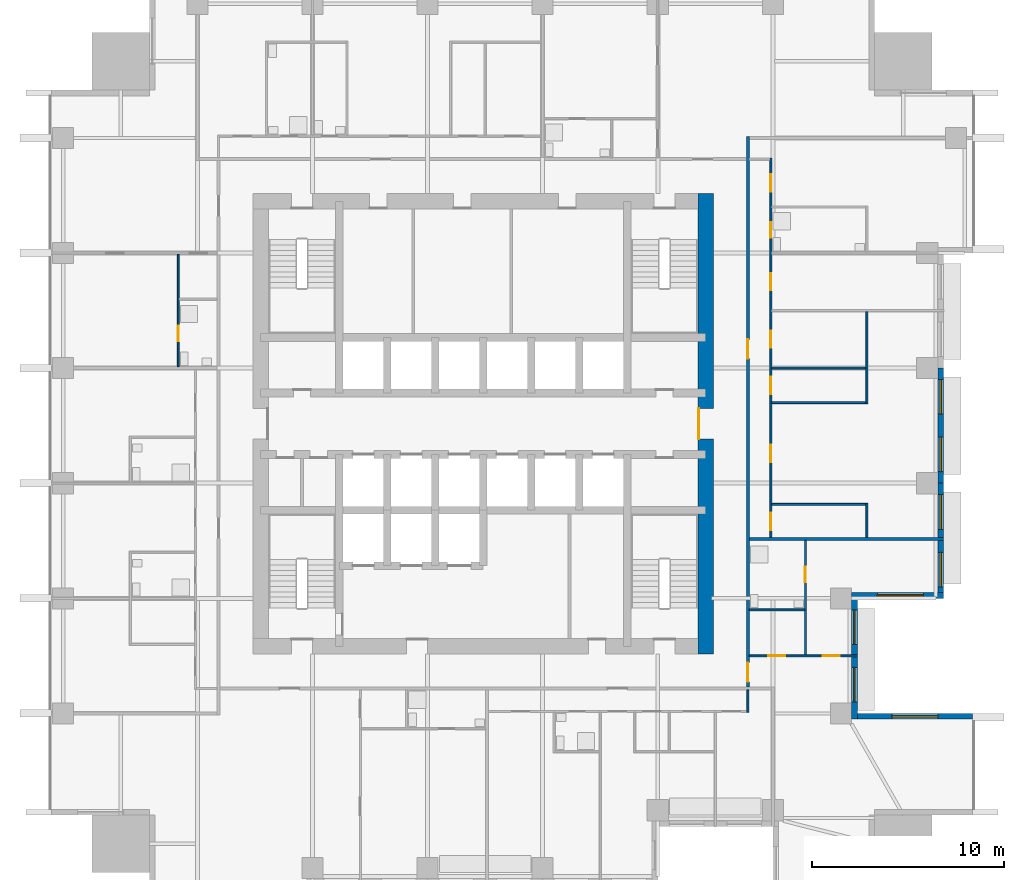
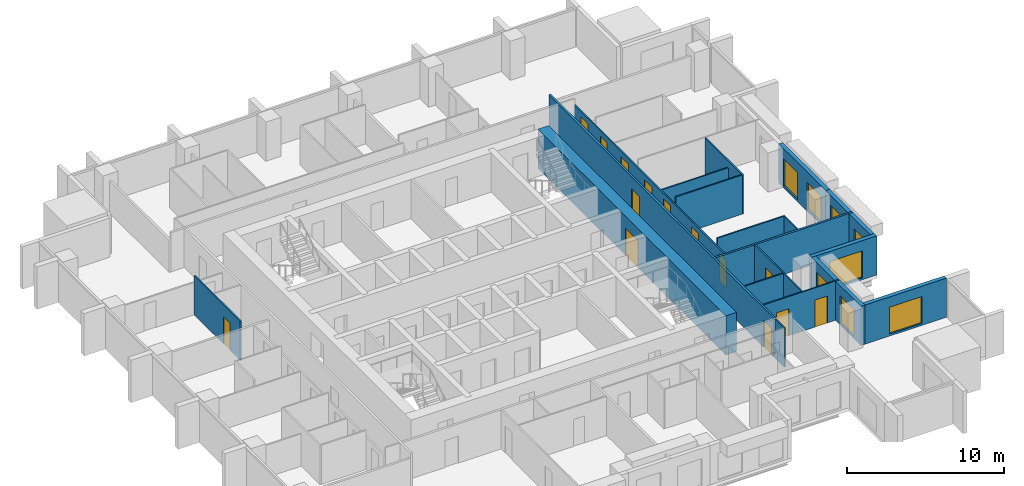
# One storey, part 6 of 10: 19 walls, 14 doors, 8 windows, 22 openings.
"""IFC4 building model written with IfcOpenShell, lengths in metres."""

from ifc_helpers import new_model, si_unit, direction, frame, frame_2d, origin, place, context, subcontext, project, spatial, rectangle, extrude, material, layer, layer_set, type_object, element, fill, save


model = new_model("IFC4")

# Units and contexts
model_context = context("Model", 3, precision=1e-05, world=origin(), true_north=direction((0.0, 1.0)))
body_context = subcontext(model_context, "Body", "Model", "MODEL_VIEW")
ifc_project = project(units=[si_unit("LENGTHUNIT", "METRE"), si_unit("AREAUNIT", "SQUARE_METRE"), si_unit("VOLUMEUNIT", "CUBIC_METRE"), si_unit("PLANEANGLEUNIT", "RADIAN"), si_unit("MASSUNIT", "GRAM", prefix="KILO")], contexts=[model_context])

# Site, building, storey
site_placement = place(None, origin())
site = spatial("IfcSite", under=ifc_project, at=site_placement, CompositionType="ELEMENT")
building_placement = place(site_placement, origin())
building = spatial("IfcBuilding", under=site, at=building_placement, Name="Amberfall Residences", CompositionType="ELEMENT")
storey_placement = place(building_placement, frame((0.0, 0.0, 85.300048828125)))
storey = spatial("IfcBuildingStorey", under=building, at=storey_placement, Name="L22", CompositionType="ELEMENT", Elevation=85.300048828125)

# Wall, opening, window
ifc_material_1 = material(Name="Pale stone cladding on insulated backing", Category="masonry")
ifc_layer_1 = layer(ifc_material_1, 0.300048828125)
ifc_layer_set_1 = layer_set([ifc_layer_1], Name="Bronze clad wall 300")
wall_type_1 = type_object("IfcWallType", Name="Bronze clad wall 300", PredefinedType="SOLIDWALL", material=ifc_layer_set_1)
wall_1_placement = place(storey_placement, frame((100.0, 30.25, 0.0), z_axis=(0.0, 0.0, 1.0), x_axis=(-1.0, 0.0, 0.0)))
wall_1 = element("IfcWall", 1, at=wall_1_placement, inside=storey, type_object=wall_type_1, Name="External wall L22 E", PredefinedType="SOLIDWALL", context=body_context, shape_type="SweptSolid", body=[
    extrude(rectangle(XDim=6.0, YDim=0.300048828125, at=frame_2d((3.0, 0.0))), origin(), (0.0, 0.0, 1.0), 3.050048828125),
])
opening_1_placement = place(wall_1_placement, frame((1.800048828125, 0.0, 0.14990234375)))
opening_1 = element("IfcOpeningElement", 2, at=opening_1_placement, cuts=wall_1, Name="Opening WN5", PredefinedType="OPENING", context=body_context, shape_type="SweptSolid", body=[
    extrude(rectangle(XDim=2.39990234375, YDim=2.10009765625, at=frame_2d((1.199951171875, 1.050048828125))), frame((0.0, 0.159912109375, 0.0), z_axis=(0.0, -1.0, 0.0), x_axis=(1.0, 0.0, 0.0)), (0.0, 0.0, 1.0), 0.320068359375),
])
ifc_material_2 = material(Name="Bronze aluminium framed glazing", Category="aluminium")
window_type_1 = type_object("IfcWindowType", Name="Glazed opening 2400 x 2100 bronze", PartitioningType="DOUBLE_PANEL_VERTICAL", PredefinedType="WINDOW", material=ifc_material_2)
window_1_placement = place(opening_1_placement, origin())
window_1 = element("IfcWindow", 3, at=window_1_placement, inside=storey, type_object=window_type_1, Name="Window L22 E", OverallHeight=2.10009765625, OverallWidth=2.39990234375, PartitioningType="DOUBLE_PANEL_VERTICAL", PredefinedType="WINDOW", context=body_context, shape_type="SweptSolid", body=[
    extrude(rectangle(XDim=2.39990234375, YDim=2.10009765625, at=frame_2d((1.199951171875, 1.050048828125))), frame((0.0, 0.030029296875, 0.0), z_axis=(0.0, -1.0, 0.0), x_axis=(1.0, 0.0, 0.0)), (0.0, 0.0, 1.0), 0.06005859375),
])
fill(opening_1, window_1)

wall_2_placement = place(storey_placement, frame((93.699951171875, 36.550048828125, 0.0), z_axis=(0.0, 0.0, 1.0), x_axis=(1.0, 0.0, 0.0)))
wall_2 = element("IfcWall", 4, at=wall_2_placement, inside=storey, type_object=wall_type_1, Name="External wall L22 E", PredefinedType="SOLIDWALL", context=body_context, shape_type="SweptSolid", body=[
    extrude(rectangle(XDim=4.800048828125, YDim=0.300048828125, at=frame_2d((2.39990234375, 0.0))), origin(), (0.0, 0.0, 1.0), 3.050048828125),
])
opening_2_placement = place(wall_2_placement, frame((1.35009765625, 0.0, 0.14990234375)))
opening_2 = element("IfcOpeningElement", 5, at=opening_2_placement, cuts=wall_2, Name="Opening WN5", PredefinedType="OPENING", context=body_context, shape_type="SweptSolid", body=[
    extrude(rectangle(XDim=2.39990234375, YDim=2.10009765625, at=frame_2d((1.199951171875, 1.050048828125))), frame((0.0, 0.159912109375, 0.0), z_axis=(0.0, -1.0, 0.0), x_axis=(1.0, 0.0, 0.0)), (0.0, 0.0, 1.0), 0.320068359375),
])
window_2_placement = place(opening_2_placement, origin())
window_2 = element("IfcWindow", 6, at=window_2_placement, inside=storey, type_object=window_type_1, Name="Window L22 E", OverallHeight=2.10009765625, OverallWidth=2.39990234375, PartitioningType="DOUBLE_PANEL_VERTICAL", PredefinedType="WINDOW", context=body_context, shape_type="SweptSolid", body=[
    extrude(rectangle(XDim=2.39990234375, YDim=2.10009765625, at=frame_2d((1.199951171875, 1.050048828125))), frame((0.0, 0.030029296875, 0.0), z_axis=(0.0, -1.0, 0.0), x_axis=(1.0, 0.0, 0.0)), (0.0, 0.0, 1.0), 0.06005859375),
])
fill(opening_2, window_2)

# Wall, openings, windows
wall_3_placement = place(storey_placement, frame((93.85009765625, 30.10009765625, 0.0), z_axis=(0.0, 0.0, 1.0), x_axis=(0.0, 1.0, 0.0)))
wall_3 = element("IfcWall", 7, at=wall_3_placement, inside=storey, type_object=wall_type_1, Name="Stone wall L22 E", PredefinedType="SOLIDWALL", context=body_context, shape_type="SweptSolid", body=[
    extrude(rectangle(XDim=6.2998046875, YDim=0.300048828125, at=frame_2d((3.14990234375, 0.0))), origin(), (0.0, 0.0, 1.0), 3.050048828125),
])
opening_3_placement = place(wall_3_placement, frame((0.89990234375, 0.0, 0.14990234375)))
opening_3 = element("IfcOpeningElement", 8, at=opening_3_placement, cuts=wall_3, Name="Opening WN6", PredefinedType="OPENING", context=body_context, shape_type="SweptSolid", body=[
    extrude(rectangle(XDim=1.800048828125, YDim=2.10009765625, at=frame_2d((0.89990234375, 1.050048828125))), frame((0.0, 0.159912109375, 0.0), z_axis=(0.0, -1.0, 0.0), x_axis=(1.0, 0.0, 0.0)), (0.0, 0.0, 1.0), 0.320068359375),
])
opening_4_placement = place(wall_3_placement, frame((3.89990234375, 0.0, 0.14990234375)))
opening_4 = element("IfcOpeningElement", 9, at=opening_4_placement, cuts=wall_3, Name="Opening WN6", PredefinedType="OPENING", context=body_context, shape_type="SweptSolid", body=[
    extrude(rectangle(XDim=1.800048828125, YDim=2.10009765625, at=frame_2d((0.89990234375, 1.050048828125))), frame((0.0, 0.159912109375, 0.0), z_axis=(0.0, -1.0, 0.0), x_axis=(1.0, 0.0, 0.0)), (0.0, 0.0, 1.0), 0.320068359375),
])
window_type_2 = type_object("IfcWindowType", Name="Glazed opening 1800 x 2100 bronze", PartitioningType="DOUBLE_PANEL_VERTICAL", PredefinedType="WINDOW", material=ifc_material_2)
window_3_placement = place(opening_3_placement, origin())
window_3 = element("IfcWindow", 10, at=window_3_placement, inside=storey, type_object=window_type_2, Name="Window L22 E", OverallHeight=2.10009765625, OverallWidth=1.800048828125, PartitioningType="DOUBLE_PANEL_VERTICAL", PredefinedType="WINDOW", context=body_context, shape_type="SweptSolid", body=[
    extrude(rectangle(XDim=1.800048828125, YDim=2.10009765625, at=frame_2d((0.89990234375, 1.050048828125))), frame((0.0, 0.030029296875, 0.0), z_axis=(0.0, -1.0, 0.0), x_axis=(1.0, 0.0, 0.0)), (0.0, 0.0, 1.0), 0.06005859375),
])
fill(opening_3, window_3)
window_4_placement = place(opening_4_placement, origin())
window_4 = element("IfcWindow", 11, at=window_4_placement, inside=storey, type_object=window_type_2, Name="Window L22 E", OverallHeight=2.10009765625, OverallWidth=1.800048828125, PartitioningType="DOUBLE_PANEL_VERTICAL", PredefinedType="WINDOW", context=body_context, shape_type="SweptSolid", body=[
    extrude(rectangle(XDim=1.800048828125, YDim=2.10009765625, at=frame_2d((0.89990234375, 1.050048828125))), frame((0.0, 0.030029296875, 0.0), z_axis=(0.0, -1.0, 0.0), x_axis=(1.0, 0.0, 0.0)), (0.0, 0.0, 1.0), 0.06005859375),
])
fill(opening_4, window_4)

wall_4_placement = place(storey_placement, frame((98.35009765625, 36.699951171875, 0.0), z_axis=(0.0, 0.0, 1.0), x_axis=(0.0, 1.0, 0.0)))
wall_4 = element("IfcWall", 12, at=wall_4_placement, inside=storey, type_object=wall_type_1, Name="Stone wall L22 E", PredefinedType="SOLIDWALL", context=body_context, shape_type="SweptSolid", body=[
    extrude(rectangle(XDim=5.699951171875, YDim=0.300048828125, at=frame_2d((2.85009765625, 0.0))), origin(), (0.0, 0.0, 1.0), 3.050048828125),
])
opening_5_placement = place(wall_4_placement, frame((0.300048828125, 0.0, 0.14990234375)))
opening_5 = element("IfcOpeningElement", 13, at=opening_5_placement, cuts=wall_4, Name="Opening WN6", PredefinedType="OPENING", context=body_context, shape_type="SweptSolid", body=[
    extrude(rectangle(XDim=1.800048828125, YDim=2.10009765625, at=frame_2d((0.89990234375, 1.050048828125))), frame((0.0, 0.159912109375, 0.0), z_axis=(0.0, -1.0, 0.0), x_axis=(1.0, 0.0, 0.0)), (0.0, 0.0, 1.0), 0.320068359375),
])
opening_6_placement = place(wall_4_placement, frame((3.300048828125, 0.0, 0.14990234375)))
opening_6 = element("IfcOpeningElement", 14, at=opening_6_placement, cuts=wall_4, Name="Opening WN6", PredefinedType="OPENING", context=body_context, shape_type="SweptSolid", body=[
    extrude(rectangle(XDim=1.800048828125, YDim=2.10009765625, at=frame_2d((0.89990234375, 1.050048828125))), frame((0.0, 0.159912109375, 0.0), z_axis=(0.0, -1.0, 0.0), x_axis=(1.0, 0.0, 0.0)), (0.0, 0.0, 1.0), 0.320068359375),
])
window_5_placement = place(opening_5_placement, origin())
window_5 = element("IfcWindow", 15, at=window_5_placement, inside=storey, type_object=window_type_2, Name="Window L22 E", OverallHeight=2.10009765625, OverallWidth=1.800048828125, PartitioningType="DOUBLE_PANEL_VERTICAL", PredefinedType="WINDOW", context=body_context, shape_type="SweptSolid", body=[
    extrude(rectangle(XDim=1.800048828125, YDim=2.10009765625, at=frame_2d((0.89990234375, 1.050048828125))), frame((0.0, 0.030029296875, 0.0), z_axis=(0.0, -1.0, 0.0), x_axis=(1.0, 0.0, 0.0)), (0.0, 0.0, 1.0), 0.06005859375),
])
fill(opening_5, window_5)
window_6_placement = place(opening_6_placement, origin())
window_6 = element("IfcWindow", 16, at=window_6_placement, inside=storey, type_object=window_type_2, Name="Window L22 E", OverallHeight=2.10009765625, OverallWidth=1.800048828125, PartitioningType="DOUBLE_PANEL_VERTICAL", PredefinedType="WINDOW", context=body_context, shape_type="SweptSolid", body=[
    extrude(rectangle(XDim=1.800048828125, YDim=2.10009765625, at=frame_2d((0.89990234375, 1.050048828125))), frame((0.0, 0.030029296875, 0.0), z_axis=(0.0, -1.0, 0.0), x_axis=(1.0, 0.0, 0.0)), (0.0, 0.0, 1.0), 0.06005859375),
])
fill(opening_6, window_6)

wall_5_placement = place(storey_placement, frame((98.35009765625, 42.39990234375, 0.0), z_axis=(0.0, 0.0, 1.0), x_axis=(0.0, 1.0, 0.0)))
wall_5 = element("IfcWall", 17, at=wall_5_placement, inside=storey, type_object=wall_type_1, Name="Stone wall L22 E", PredefinedType="SOLIDWALL", context=body_context, shape_type="SweptSolid", body=[
    extrude(rectangle(XDim=6.0, YDim=0.300048828125, at=frame_2d((3.0, 0.0))), origin(), (0.0, 0.0, 1.0), 3.050048828125),
])
opening_7_placement = place(wall_5_placement, frame((0.60009765625, 0.0, 0.14990234375)))
opening_7 = element("IfcOpeningElement", 18, at=opening_7_placement, cuts=wall_5, Name="Opening WN6", PredefinedType="OPENING", context=body_context, shape_type="SweptSolid", body=[
    extrude(rectangle(XDim=1.800048828125, YDim=2.10009765625, at=frame_2d((0.89990234375, 1.050048828125))), frame((0.0, 0.159912109375, 0.0), z_axis=(0.0, -1.0, 0.0), x_axis=(1.0, 0.0, 0.0)), (0.0, 0.0, 1.0), 0.320068359375),
])
opening_8_placement = place(wall_5_placement, frame((3.60009765625, 0.0, 0.14990234375)))
opening_8 = element("IfcOpeningElement", 19, at=opening_8_placement, cuts=wall_5, Name="Opening WN6", PredefinedType="OPENING", context=body_context, shape_type="SweptSolid", body=[
    extrude(rectangle(XDim=1.800048828125, YDim=2.10009765625, at=frame_2d((0.89990234375, 1.050048828125))), frame((0.0, 0.159912109375, 0.0), z_axis=(0.0, -1.0, 0.0), x_axis=(1.0, 0.0, 0.0)), (0.0, 0.0, 1.0), 0.320068359375),
])
window_7_placement = place(opening_7_placement, origin())
window_7 = element("IfcWindow", 20, at=window_7_placement, inside=storey, type_object=window_type_2, Name="Window L22 E", OverallHeight=2.10009765625, OverallWidth=1.800048828125, PartitioningType="DOUBLE_PANEL_VERTICAL", PredefinedType="WINDOW", context=body_context, shape_type="SweptSolid", body=[
    extrude(rectangle(XDim=1.800048828125, YDim=2.10009765625, at=frame_2d((0.89990234375, 1.050048828125))), frame((0.0, 0.030029296875, 0.0), z_axis=(0.0, -1.0, 0.0), x_axis=(1.0, 0.0, 0.0)), (0.0, 0.0, 1.0), 0.06005859375),
])
fill(opening_7, window_7)
window_8_placement = place(opening_8_placement, origin())
window_8 = element("IfcWindow", 21, at=window_8_placement, inside=storey, type_object=window_type_2, Name="Window L22 E", OverallHeight=2.10009765625, OverallWidth=1.800048828125, PartitioningType="DOUBLE_PANEL_VERTICAL", PredefinedType="WINDOW", context=body_context, shape_type="SweptSolid", body=[
    extrude(rectangle(XDim=1.800048828125, YDim=2.10009765625, at=frame_2d((0.89990234375, 1.050048828125))), frame((0.0, 0.030029296875, 0.0), z_axis=(0.0, -1.0, 0.0), x_axis=(1.0, 0.0, 0.0)), (0.0, 0.0, 1.0), 0.06005859375),
])
fill(opening_8, window_8)

# Wall, opening, door
ifc_material_3 = material(Name="Concrete C70", Category="concrete")
ifc_layer_2 = layer(ifc_material_3, 0.800048828125)
ifc_layer_set_2 = layer_set([ifc_layer_2], Name="Core wall 800 C70")
wall_type_2 = type_object("IfcWallType", Name="Core wall 800 C70", PredefinedType="SHEAR", material=ifc_layer_set_2)
wall_6_placement = place(storey_placement, frame((86.10009765625, 33.5, 0.0), z_axis=(0.0, 0.0, 1.0), x_axis=(0.0, 1.0, 0.0)))
wall_6 = element("IfcWall", 22, at=wall_6_placement, inside=storey, type_object=wall_type_2, Name="Core wall RW3 L22 OE", PredefinedType="SHEAR", context=body_context, shape_type="SweptSolid", body=[
    extrude(rectangle(XDim=24.0, YDim=0.800048828125, at=frame_2d((12.0, 0.0))), origin(), (0.0, 0.0, 1.0), 3.050048828125),
])
opening_9_placement = place(wall_6_placement, frame((11.199951171875, 0.0, 0.0)))
opening_9 = element("IfcOpeningElement", 23, at=opening_9_placement, cuts=wall_6, Name="Opening LB1", PredefinedType="OPENING", context=body_context, shape_type="SweptSolid", body=[
    extrude(rectangle(XDim=1.60009765625, YDim=2.10009765625, at=frame_2d((0.800048828125, 1.050048828125))), frame((0.0, 0.409912109375, 0.0), z_axis=(0.0, -1.0, 0.0), x_axis=(1.0, 0.0, 0.0)), (0.0, 0.0, 1.0), 0.820068359375),
])
ifc_material_4 = material(Name="Steel fire door set", Category="steel")
door_type_1 = type_object("IfcDoorType", Name="Lift lobby double door 1600 x 2100", OperationType="DOUBLE_DOOR_SINGLE_SWING", PredefinedType="DOOR", material=ifc_material_4)
door_1_placement = place(opening_9_placement, origin())
door_1 = element("IfcDoor", 24, at=door_1_placement, inside=storey, type_object=door_type_1, Name="LB1 L22", OperationType="DOUBLE_DOOR_SINGLE_SWING", OverallHeight=2.10009765625, OverallWidth=1.60009765625, PredefinedType="DOOR", context=body_context, shape_type="SweptSolid", body=[
    extrude(rectangle(XDim=1.60009765625, YDim=2.10009765625, at=frame_2d((0.800048828125, 1.050048828125))), frame((0.0, 0.3876953125, 0.0), z_axis=(0.0, -1.0, 0.0), x_axis=(1.0, 0.0, 0.0)), (0.0, 0.0, 1.0), 0.050048828125),
])
fill(opening_9, door_1)

ifc_material_5 = material(Name="Gypsum board on metal stud")
ifc_layer_3 = layer(ifc_material_5, 0.10009765625)
ifc_layer_set_3 = layer_set([ifc_layer_3], Name="Flat partition 100")
wall_type_3 = type_object("IfcWallType", Name="Flat partition 100", PredefinedType="PARTITIONING", material=ifc_layer_set_3)
wall_7_placement = place(storey_placement, frame((58.60009765625, 54.35009765625, 0.0), z_axis=(0.0, 0.0, 1.0), x_axis=(0.0, -1.0, 0.0)))
wall_7 = element("IfcWall", 25, at=wall_7_placement, inside=storey, type_object=wall_type_3, Name="Partition 003", PredefinedType="PARTITIONING", context=body_context, shape_type="SweptSolid", body=[
    extrude(rectangle(XDim=5.875, YDim=0.10009765625, at=frame_2d((2.9375, 0.0))), origin(), (0.0, 0.0, 1.0), 3.050048828125),
])
opening_10_placement = place(wall_7_placement, frame((3.75, 0.0, 0.0)))
opening_10 = element("IfcOpeningElement", 26, at=opening_10_placement, cuts=wall_7, Name="Opening D42", PredefinedType="OPENING", context=body_context, shape_type="SweptSolid", body=[
    extrude(rectangle(XDim=0.800048828125, YDim=2.10009765625, at=frame_2d((0.39990234375, 1.050048828125))), frame((0.0, 0.06005859375, 0.0), z_axis=(0.0, -1.0, 0.0), x_axis=(1.0, 0.0, 0.0)), (0.0, 0.0, 1.0), 0.1201171875),
])
ifc_material_6 = material(Name="Timber", Category="wood")
door_type_2 = type_object("IfcDoorType", Name="Bathroom door 800 x 2100", OperationType="SINGLE_SWING_LEFT", PredefinedType="DOOR", material=ifc_material_6)
door_2_placement = place(opening_10_placement, origin())
door_2 = element("IfcDoor", 27, at=door_2_placement, inside=storey, type_object=door_type_2, Name="Door 2208 bath1", OperationType="SINGLE_SWING_LEFT", OverallHeight=2.10009765625, OverallWidth=0.800048828125, PredefinedType="DOOR", context=body_context, shape_type="SweptSolid", body=[
    extrude(rectangle(XDim=0.800048828125, YDim=2.10009765625, at=frame_2d((0.39990234375, 1.050048828125))), frame((0.0, 0.02490234375, 0.0), z_axis=(0.0, -1.0, 0.0), x_axis=(1.0, 0.0, 0.0)), (0.0, 0.0, 1.0), 0.050048828125),
])
fill(opening_10, door_2)

# Wall
wall_8_placement = place(storey_placement, frame((88.300048828125, 30.449951171875, 0.0), z_axis=(0.0, 0.0, 1.0), x_axis=(0.0, 1.0, 0.0)))
element("IfcWall", 28, at=wall_8_placement, inside=storey, type_object=wall_type_3, Name="Partition 020", PredefinedType="PARTITIONING", context=body_context, shape_type="SweptSolid", body=[
    extrude(rectangle(XDim=1.175048828125, YDim=0.10009765625, at=frame_2d((0.58740234375, 0.0))), origin(), (0.0, 0.0, 1.0), 3.050048828125),
])

# Wall, openings, doors
wall_9_placement = place(storey_placement, frame((89.5, 59.35009765625, 0.0), z_axis=(0.0, 0.0, 1.0), x_axis=(0.0, -1.0, 0.0)))
wall_9 = element("IfcWall", 29, at=wall_9_placement, inside=storey, type_object=wall_type_3, Name="Partition 021", PredefinedType="PARTITIONING", context=body_context, shape_type="SweptSolid", body=[
    extrude(rectangle(XDim=19.775146484375, YDim=0.10009765625, at=frame_2d((9.8876953125, 0.0))), origin(), (0.0, 0.0, 1.0), 2.510009765625),
])
opening_11_placement = place(wall_9_placement, frame((14.949951171875, 0.0, 0.0)))
opening_11 = element("IfcOpeningElement", 30, at=opening_11_placement, cuts=wall_9, Name="Opening D41", PredefinedType="OPENING", context=body_context, shape_type="SweptSolid", body=[
    extrude(rectangle(XDim=0.89990234375, YDim=2.10009765625, at=frame_2d((0.449951171875, 1.050048828125))), frame((0.0, 0.06005859375, 0.0), z_axis=(0.0, -1.0, 0.0), x_axis=(1.0, 0.0, 0.0)), (0.0, 0.0, 1.0), 0.1201171875),
])
opening_12_placement = place(wall_9_placement, frame((9.0, 0.0, 0.0)))
opening_12 = element("IfcOpeningElement", 31, at=opening_12_placement, cuts=wall_9, Name="Opening D41", PredefinedType="OPENING", context=body_context, shape_type="SweptSolid", body=[
    extrude(rectangle(XDim=0.89990234375, YDim=2.10009765625, at=frame_2d((0.449951171875, 1.050048828125))), frame((0.0, 0.06005859375, 0.0), z_axis=(0.0, -1.0, 0.0), x_axis=(1.0, 0.0, 0.0)), (0.0, 0.0, 1.0), 0.1201171875),
])
opening_13_placement = place(wall_9_placement, frame((11.39990234375, 0.0, 0.0)))
opening_13 = element("IfcOpeningElement", 32, at=opening_13_placement, cuts=wall_9, Name="Opening D41", PredefinedType="OPENING", context=body_context, shape_type="SweptSolid", body=[
    extrude(rectangle(XDim=0.89990234375, YDim=2.10009765625, at=frame_2d((0.449951171875, 1.050048828125))), frame((0.0, 0.06005859375, 0.0), z_axis=(0.0, -1.0, 0.0), x_axis=(1.0, 0.0, 0.0)), (0.0, 0.0, 1.0), 0.1201171875),
])
opening_14_placement = place(wall_9_placement, frame((18.5, 0.0, 0.0)))
opening_14 = element("IfcOpeningElement", 33, at=opening_14_placement, cuts=wall_9, Name="Opening D41", PredefinedType="OPENING", context=body_context, shape_type="SweptSolid", body=[
    extrude(rectangle(XDim=0.89990234375, YDim=2.10009765625, at=frame_2d((0.449951171875, 1.050048828125))), frame((0.0, 0.06005859375, 0.0), z_axis=(0.0, -1.0, 0.0), x_axis=(1.0, 0.0, 0.0)), (0.0, 0.0, 1.0), 0.1201171875),
])
opening_15_placement = place(wall_9_placement, frame((6.0, 0.0, 0.0)))
opening_15 = element("IfcOpeningElement", 34, at=opening_15_placement, cuts=wall_9, Name="Opening D41", PredefinedType="OPENING", context=body_context, shape_type="SweptSolid", body=[
    extrude(rectangle(XDim=0.89990234375, YDim=2.10009765625, at=frame_2d((0.449951171875, 1.050048828125))), frame((0.0, 0.06005859375, 0.0), z_axis=(0.0, -1.0, 0.0), x_axis=(1.0, 0.0, 0.0)), (0.0, 0.0, 1.0), 0.1201171875),
])
opening_16_placement = place(wall_9_placement, frame((0.85009765625, 0.0, 0.0)))
opening_16 = element("IfcOpeningElement", 35, at=opening_16_placement, cuts=wall_9, Name="Opening D41", PredefinedType="OPENING", context=body_context, shape_type="SweptSolid", body=[
    extrude(rectangle(XDim=0.89990234375, YDim=2.10009765625, at=frame_2d((0.449951171875, 1.050048828125))), frame((0.0, 0.06005859375, 0.0), z_axis=(0.0, -1.0, 0.0), x_axis=(1.0, 0.0, 0.0)), (0.0, 0.0, 1.0), 0.1201171875),
])
opening_17_placement = place(wall_9_placement, frame((3.35009765625, 0.0, 0.0)))
opening_17 = element("IfcOpeningElement", 36, at=opening_17_placement, cuts=wall_9, Name="Opening D42", PredefinedType="OPENING", context=body_context, shape_type="SweptSolid", body=[
    extrude(rectangle(XDim=0.800048828125, YDim=2.10009765625, at=frame_2d((0.39990234375, 1.050048828125))), frame((0.0, 0.06005859375, 0.0), z_axis=(0.0, -1.0, 0.0), x_axis=(1.0, 0.0, 0.0)), (0.0, 0.0, 1.0), 0.1201171875),
])
door_3_placement = place(opening_17_placement, origin())
door_3 = element("IfcDoor", 37, at=door_3_placement, inside=storey, type_object=door_type_2, Name="Door 2204 bath1", OperationType="SINGLE_SWING_LEFT", OverallHeight=2.10009765625, OverallWidth=0.800048828125, PredefinedType="DOOR", context=body_context, shape_type="SweptSolid", body=[
    extrude(rectangle(XDim=0.800048828125, YDim=2.10009765625, at=frame_2d((0.39990234375, 1.050048828125))), frame((0.0, 0.02490234375, 0.0), z_axis=(0.0, -1.0, 0.0), x_axis=(1.0, 0.0, 0.0)), (0.0, 0.0, 1.0), 0.050048828125),
])
fill(opening_17, door_3)
door_type_3 = type_object("IfcDoorType", Name="Internal door 900 x 2100", OperationType="SINGLE_SWING_LEFT", PredefinedType="DOOR", material=ifc_material_6)
door_4_placement = place(opening_11_placement, origin())
door_4 = element("IfcDoor", 38, at=door_4_placement, inside=storey, type_object=door_type_3, Name="Door 2204 living", OperationType="SINGLE_SWING_LEFT", OverallHeight=2.10009765625, OverallWidth=0.89990234375, PredefinedType="DOOR", context=body_context, shape_type="SweptSolid", body=[
    extrude(rectangle(XDim=0.89990234375, YDim=2.10009765625, at=frame_2d((0.449951171875, 1.050048828125))), frame((0.0, 0.02490234375, 0.0), z_axis=(0.0, -1.0, 0.0), x_axis=(1.0, 0.0, 0.0)), (0.0, 0.0, 1.0), 0.050048828125),
])
fill(opening_11, door_4)
door_5_placement = place(opening_12_placement, origin())
door_5 = element("IfcDoor", 39, at=door_5_placement, inside=storey, type_object=door_type_3, Name="Door 2204 kitchen", OperationType="SINGLE_SWING_LEFT", OverallHeight=2.10009765625, OverallWidth=0.89990234375, PredefinedType="DOOR", context=body_context, shape_type="SweptSolid", body=[
    extrude(rectangle(XDim=0.89990234375, YDim=2.10009765625, at=frame_2d((0.449951171875, 1.050048828125))), frame((0.0, 0.02490234375, 0.0), z_axis=(0.0, -1.0, 0.0), x_axis=(1.0, 0.0, 0.0)), (0.0, 0.0, 1.0), 0.050048828125),
])
fill(opening_12, door_5)
door_6_placement = place(opening_13_placement, origin())
door_6 = element("IfcDoor", 40, at=door_6_placement, inside=storey, type_object=door_type_3, Name="Door 2204 utility", OperationType="SINGLE_SWING_LEFT", OverallHeight=2.10009765625, OverallWidth=0.89990234375, PredefinedType="DOOR", context=body_context, shape_type="SweptSolid", body=[
    extrude(rectangle(XDim=0.89990234375, YDim=2.10009765625, at=frame_2d((0.449951171875, 1.050048828125))), frame((0.0, 0.02490234375, 0.0), z_axis=(0.0, -1.0, 0.0), x_axis=(1.0, 0.0, 0.0)), (0.0, 0.0, 1.0), 0.050048828125),
])
fill(opening_13, door_6)
door_7_placement = place(opening_14_placement, origin())
door_7 = element("IfcDoor", 41, at=door_7_placement, inside=storey, type_object=door_type_3, Name="Door 2204 store", OperationType="SINGLE_SWING_LEFT", OverallHeight=2.10009765625, OverallWidth=0.89990234375, PredefinedType="DOOR", context=body_context, shape_type="SweptSolid", body=[
    extrude(rectangle(XDim=0.89990234375, YDim=2.10009765625, at=frame_2d((0.449951171875, 1.050048828125))), frame((0.0, 0.02490234375, 0.0), z_axis=(0.0, -1.0, 0.0), x_axis=(1.0, 0.0, 0.0)), (0.0, 0.0, 1.0), 0.050048828125),
])
fill(opening_14, door_7)
door_8_placement = place(opening_15_placement, origin())
door_8 = element("IfcDoor", 42, at=door_8_placement, inside=storey, type_object=door_type_3, Name="Door 2204 bedroom1", OperationType="SINGLE_SWING_LEFT", OverallHeight=2.10009765625, OverallWidth=0.89990234375, PredefinedType="DOOR", context=body_context, shape_type="SweptSolid", body=[
    extrude(rectangle(XDim=0.89990234375, YDim=2.10009765625, at=frame_2d((0.449951171875, 1.050048828125))), frame((0.0, 0.02490234375, 0.0), z_axis=(0.0, -1.0, 0.0), x_axis=(1.0, 0.0, 0.0)), (0.0, 0.0, 1.0), 0.050048828125),
])
fill(opening_15, door_8)
door_9_placement = place(opening_16_placement, origin())
door_9 = element("IfcDoor", 43, at=door_9_placement, inside=storey, type_object=door_type_3, Name="Door 2204 bedroom2", OperationType="SINGLE_SWING_LEFT", OverallHeight=2.10009765625, OverallWidth=0.89990234375, PredefinedType="DOOR", context=body_context, shape_type="SweptSolid", body=[
    extrude(rectangle(XDim=0.89990234375, YDim=2.10009765625, at=frame_2d((0.449951171875, 1.050048828125))), frame((0.0, 0.02490234375, 0.0), z_axis=(0.0, -1.0, 0.0), x_axis=(1.0, 0.0, 0.0)), (0.0, 0.0, 1.0), 0.050048828125),
])
fill(opening_16, door_9)

# Wall, opening, door
wall_10_placement = place(storey_placement, frame((91.300048828125, 33.449951171875, 0.0), z_axis=(0.0, 0.0, 1.0), x_axis=(0.0, 1.0, 0.0)))
wall_10 = element("IfcWall", 44, at=wall_10_placement, inside=storey, type_object=wall_type_3, Name="Partition 022", PredefinedType="PARTITIONING", context=body_context, shape_type="SweptSolid", body=[
    extrude(rectangle(XDim=5.97509765625, YDim=0.10009765625, at=frame_2d((2.987548828125, 0.0))), origin(), (0.0, 0.0, 1.0), 3.050048828125),
])
opening_18_placement = place(wall_10_placement, frame((3.800048828125, 0.0, 0.0)))
opening_18 = element("IfcOpeningElement", 45, at=opening_18_placement, cuts=wall_10, Name="Opening D42", PredefinedType="OPENING", context=body_context, shape_type="SweptSolid", body=[
    extrude(rectangle(XDim=0.800048828125, YDim=2.10009765625, at=frame_2d((0.39990234375, 1.050048828125))), frame((0.0, 0.06005859375, 0.0), z_axis=(0.0, -1.0, 0.0), x_axis=(1.0, 0.0, 0.0)), (0.0, 0.0, 1.0), 0.1201171875),
])
door_10_placement = place(opening_18_placement, origin())
door_10 = element("IfcDoor", 46, at=door_10_placement, inside=storey, type_object=door_type_2, Name="Door 2203 bath1", OperationType="SINGLE_SWING_LEFT", OverallHeight=2.10009765625, OverallWidth=0.800048828125, PredefinedType="DOOR", context=body_context, shape_type="SweptSolid", body=[
    extrude(rectangle(XDim=0.800048828125, YDim=2.10009765625, at=frame_2d((0.39990234375, 1.050048828125))), frame((0.0, 0.02490234375, 0.0), z_axis=(0.0, -1.0, 0.0), x_axis=(1.0, 0.0, 0.0)), (0.0, 0.0, 1.0), 0.050048828125),
])
fill(opening_18, door_10)

# Walls
wall_11_placement = place(storey_placement, frame((94.5, 39.574951171875, 0.0), z_axis=(0.0, 0.0, 1.0), x_axis=(0.0, 1.0, 0.0)))
element("IfcWall", 47, at=wall_11_placement, inside=storey, type_object=wall_type_3, Name="Partition 023", PredefinedType="PARTITIONING", context=body_context, shape_type="SweptSolid", body=[
    extrude(rectangle(XDim=1.775146484375, YDim=0.10009765625, at=frame_2d((0.8876953125, 0.0))), origin(), (0.0, 0.0, 1.0), 3.050048828125),
])
wall_12_placement = place(storey_placement, frame((94.5, 46.550048828125, 0.0), z_axis=(0.0, 0.0, 1.0), x_axis=(0.0, 1.0, 0.0)))
element("IfcWall", 48, at=wall_12_placement, inside=storey, type_object=wall_type_3, Name="Partition 024", PredefinedType="PARTITIONING", context=body_context, shape_type="SweptSolid", body=[
    extrude(rectangle(XDim=4.800048828125, YDim=0.10009765625, at=frame_2d((2.39990234375, 0.0))), origin(), (0.0, 0.0, 1.0), 3.050048828125),
])
wall_13_placement = place(storey_placement, frame((89.550048828125, 48.39990234375, 0.0), z_axis=(0.0, 0.0, 1.0), x_axis=(1.0, 0.0, 0.0)))
element("IfcWall", 49, at=wall_13_placement, inside=storey, type_object=wall_type_3, Name="Partition 036", PredefinedType="PARTITIONING", context=body_context, shape_type="SweptSolid", body=[
    extrude(rectangle(XDim=4.89990234375, YDim=0.10009765625, at=frame_2d((2.449951171875, 0.0))), origin(), (0.0, 0.0, 1.0), 2.515869140625),
])
for number, where, z_axis, x_axis, name in (
    (50, (89.550048828125, 46.60009765625, 0.0), (0.0, 0.0, 1.0), (1.0, 0.0, 0.0), "Partition 037"),
    (51, (89.550048828125, 41.300048828125, 0.0), (0.0, 0.0, 1.0), (1.0, 0.0, 0.0), "Partition 040"),
):
    element("IfcWall", number, at=place(storey_placement, frame(where, z_axis=z_axis, x_axis=x_axis)), inside=storey, type_object=wall_type_3, Name=name, PredefinedType="PARTITIONING", context=body_context, shape_type="SweptSolid", body=[
        extrude(rectangle(XDim=4.89990234375, YDim=0.10009765625, at=frame_2d((2.449951171875, 0.0))), origin(), (0.0, 0.0, 1.0), 3.050048828125),
    ])
wall_14_placement = place(storey_placement, frame((88.375, 35.800048828125, 0.0), z_axis=(0.0, 0.0, 1.0), x_axis=(1.0, 0.0, 0.0)))
element("IfcWall", 52, at=wall_14_placement, inside=storey, type_object=wall_type_3, Name="Partition 043", PredefinedType="PARTITIONING", context=body_context, shape_type="SweptSolid", body=[
    extrude(rectangle(XDim=2.875, YDim=0.10009765625, at=frame_2d((1.4375, 0.0))), origin(), (0.0, 0.0, 1.0), 3.050048828125),
])

# Wall, openings, doors
wall_15_placement = place(storey_placement, frame((88.375, 33.39990234375, 0.0), z_axis=(0.0, 0.0, 1.0), x_axis=(1.0, 0.0, 0.0)))
wall_15 = element("IfcWall", 53, at=wall_15_placement, inside=storey, type_object=wall_type_3, Name="Partition 045", PredefinedType="PARTITIONING", context=body_context, shape_type="SweptSolid", body=[
    extrude(rectangle(XDim=5.625, YDim=0.10009765625, at=frame_2d((2.8125, 0.0))), origin(), (0.0, 0.0, 1.0), 3.050048828125),
])
opening_19_placement = place(wall_15_placement, frame((0.97509765625, 0.0, 0.0)))
opening_19 = element("IfcOpeningElement", 54, at=opening_19_placement, cuts=wall_15, Name="Opening D41", PredefinedType="OPENING", context=body_context, shape_type="SweptSolid", body=[
    extrude(rectangle(XDim=0.89990234375, YDim=2.10009765625, at=frame_2d((0.449951171875, 1.050048828125))), frame((0.0, 0.06005859375, 0.0), z_axis=(0.0, -1.0, 0.0), x_axis=(1.0, 0.0, 0.0)), (0.0, 0.0, 1.0), 0.1201171875),
])
opening_20_placement = place(wall_15_placement, frame((3.824951171875, 0.0, 0.0)))
opening_20 = element("IfcOpeningElement", 55, at=opening_20_placement, cuts=wall_15, Name="Opening D41", PredefinedType="OPENING", context=body_context, shape_type="SweptSolid", body=[
    extrude(rectangle(XDim=0.89990234375, YDim=2.10009765625, at=frame_2d((0.449951171875, 1.050048828125))), frame((0.0, 0.06005859375, 0.0), z_axis=(0.0, -1.0, 0.0), x_axis=(1.0, 0.0, 0.0)), (0.0, 0.0, 1.0), 0.1201171875),
])
door_11_placement = place(opening_19_placement, origin())
door_11 = element("IfcDoor", 56, at=door_11_placement, inside=storey, type_object=door_type_3, Name="Door 2203 kitchen", OperationType="SINGLE_SWING_LEFT", OverallHeight=2.10009765625, OverallWidth=0.89990234375, PredefinedType="DOOR", context=body_context, shape_type="SweptSolid", body=[
    extrude(rectangle(XDim=0.89990234375, YDim=2.10009765625, at=frame_2d((0.449951171875, 1.050048828125))), frame((0.0, 0.02490234375, 0.0), z_axis=(0.0, -1.0, 0.0), x_axis=(1.0, 0.0, 0.0)), (0.0, 0.0, 1.0), 0.050048828125),
])
fill(opening_19, door_11)
door_12_placement = place(opening_20_placement, origin())
door_12 = element("IfcDoor", 57, at=door_12_placement, inside=storey, type_object=door_type_3, Name="Door 2203 bedroom1", OperationType="SINGLE_SWING_LEFT", OverallHeight=2.10009765625, OverallWidth=0.89990234375, PredefinedType="DOOR", context=body_context, shape_type="SweptSolid", body=[
    extrude(rectangle(XDim=0.89990234375, YDim=2.10009765625, at=frame_2d((0.449951171875, 1.050048828125))), frame((0.0, 0.02490234375, 0.0), z_axis=(0.0, -1.0, 0.0), x_axis=(1.0, 0.0, 0.0)), (0.0, 0.0, 1.0), 0.050048828125),
])
fill(opening_20, door_12)

ifc_material_7 = material(Name="Blockwork, plastered", Category="masonry")
ifc_layer_4 = layer(ifc_material_7, 0.14990234375)
ifc_layer_set_4 = layer_set([ifc_layer_4], Name="Flat separating wall 150")
wall_type_4 = type_object("IfcWallType", Name="Flat separating wall 150", PredefinedType="PARTITIONING", material=ifc_layer_set_4)
wall_16_placement = place(storey_placement, frame((88.300048828125, 60.47509765625, 0.0), z_axis=(0.0, 0.0, 1.0), x_axis=(0.0, -1.0, 0.0)))
wall_16 = element("IfcWall", 58, at=wall_16_placement, inside=storey, type_object=wall_type_4, Name="Separating wall 055", PredefinedType="PARTITIONING", context=body_context, shape_type="SweptSolid", body=[
    extrude(rectangle(XDim=28.7001953125, YDim=0.14990234375, at=frame_2d((14.35009765625, 0.0))), origin(), (0.0, 0.0, 1.0), 3.050048828125),
])
opening_21_placement = place(wall_16_placement, frame((27.425048828125, 0.0, 0.0)))
opening_21 = element("IfcOpeningElement", 59, at=opening_21_placement, cuts=wall_16, Name="Opening D40", PredefinedType="OPENING", context=body_context, shape_type="SweptSolid", body=[
    extrude(rectangle(XDim=1.0, YDim=2.10009765625, at=frame_2d((0.5, 1.050048828125))), frame((0.0, 0.0849609375, 0.0), z_axis=(0.0, -1.0, 0.0), x_axis=(1.0, 0.0, 0.0)), (0.0, 0.0, 1.0), 0.169921875),
])
opening_22_placement = place(wall_16_placement, frame((10.574951171875, 0.0, 0.0)))
opening_22 = element("IfcOpeningElement", 60, at=opening_22_placement, cuts=wall_16, Name="Opening D40", PredefinedType="OPENING", context=body_context, shape_type="SweptSolid", body=[
    extrude(rectangle(XDim=1.0, YDim=2.10009765625, at=frame_2d((0.5, 1.050048828125))), frame((0.0, 0.0849609375, 0.0), z_axis=(0.0, -1.0, 0.0), x_axis=(1.0, 0.0, 0.0)), (0.0, 0.0, 1.0), 0.169921875),
])
ifc_material_8 = material(Name="Timber, fire-rated", Category="wood")
door_type_4 = type_object("IfcDoorType", Name="Flat entrance door FD60 1000 x 2100", OperationType="SINGLE_SWING_LEFT", PredefinedType="DOOR", material=ifc_material_8)
door_13_placement = place(opening_21_placement, origin())
door_13 = element("IfcDoor", 61, at=door_13_placement, inside=storey, type_object=door_type_4, Name="Door 2203 entrance", OperationType="SINGLE_SWING_LEFT", OverallHeight=2.10009765625, OverallWidth=1.0, PredefinedType="DOOR", context=body_context, shape_type="SweptSolid", body=[
    extrude(rectangle(XDim=1.0, YDim=2.10009765625, at=frame_2d((0.5, 1.050048828125))), frame((0.0, 0.02490234375, 0.0), z_axis=(0.0, -1.0, 0.0), x_axis=(1.0, 0.0, 0.0)), (0.0, 0.0, 1.0), 0.050048828125),
])
fill(opening_21, door_13)
door_14_placement = place(opening_22_placement, origin())
door_14 = element("IfcDoor", 62, at=door_14_placement, inside=storey, type_object=door_type_4, Name="Door 2204 entrance", OperationType="SINGLE_SWING_LEFT", OverallHeight=2.10009765625, OverallWidth=1.0, PredefinedType="DOOR", context=body_context, shape_type="SweptSolid", body=[
    extrude(rectangle(XDim=1.0, YDim=2.10009765625, at=frame_2d((0.5, 1.050048828125))), frame((0.0, 0.02490234375, 0.0), z_axis=(0.0, -1.0, 0.0), x_axis=(1.0, 0.0, 0.0)), (0.0, 0.0, 1.0), 0.050048828125),
])
fill(opening_22, door_14)

# Wall
wall_17_placement = place(storey_placement, frame((88.375, 39.5, 0.0), z_axis=(0.0, 0.0, 1.0), x_axis=(1.0, 0.0, 0.0)))
element("IfcWall", 63, at=wall_17_placement, inside=storey, type_object=wall_type_4, Name="Separating wall 060", PredefinedType="PARTITIONING", context=body_context, shape_type="SweptSolid", body=[
    extrude(rectangle(XDim=10.125, YDim=0.14990234375, at=frame_2d((5.0625, 0.0))), origin(), (0.0, 0.0, 1.0), 3.050048828125),
])

save(model, "model.ifc")
